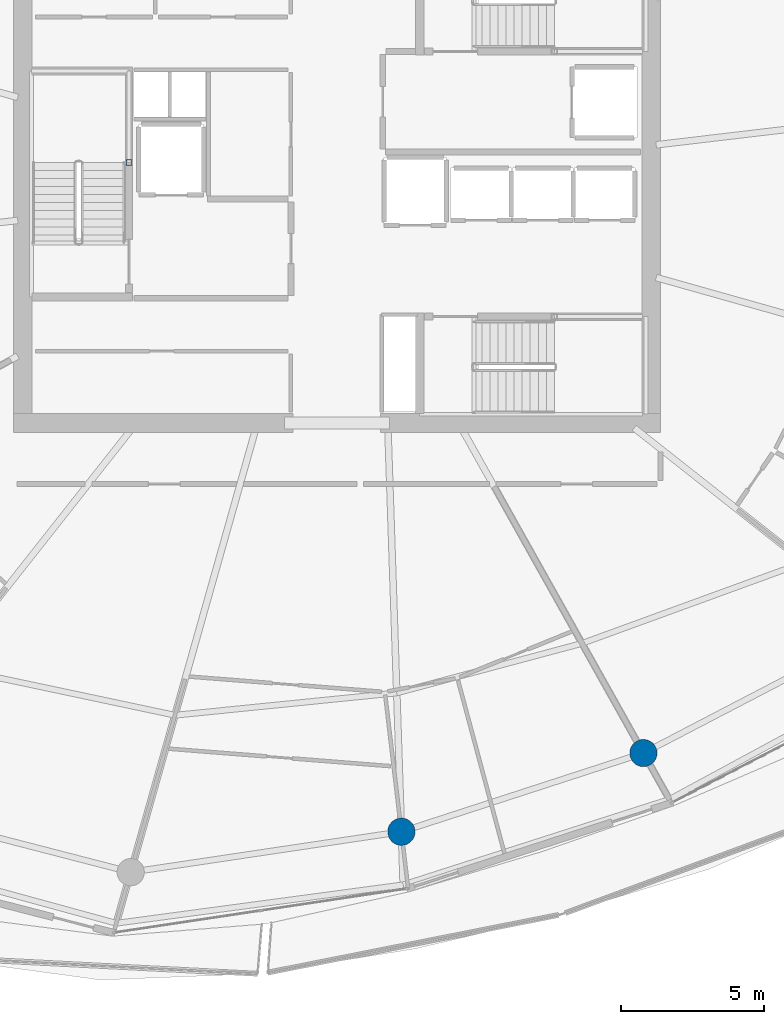
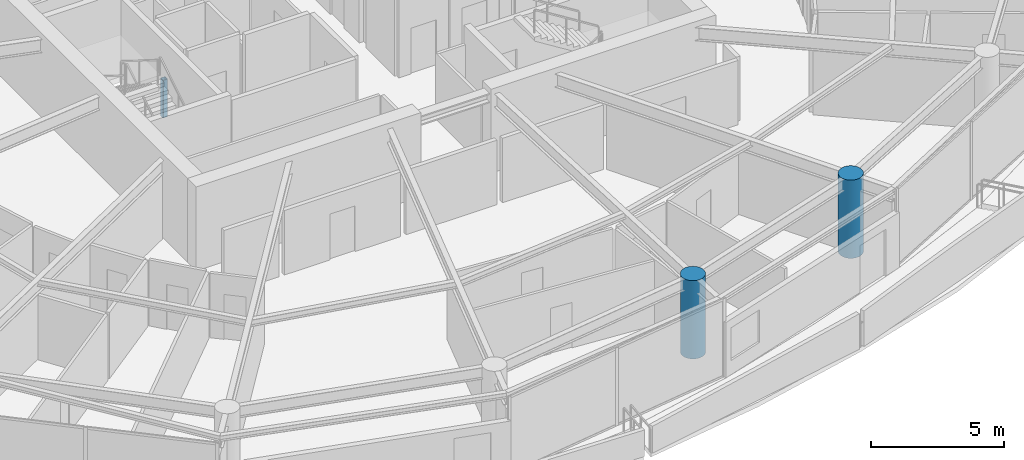
# One storey, part 2 of 30: 3 columns.
"""IFC4 building model written with IfcOpenShell, lengths in metres."""

from ifc_helpers import new_model, si_unit, direction, frame, origin, origin_2d, place, context, subcontext, project, spatial, hollow_rectangle, circle, extrude, material, material_profile, profile_set, type_object, element, save


model = new_model("IFC4")

# Units and contexts
model_context = context("Model", 3, precision=1e-05, world=origin(), true_north=direction((0.0, 1.0)))
body_context = subcontext(model_context, "Body", "Model", "MODEL_VIEW")
ifc_project = project(units=[si_unit("LENGTHUNIT", "METRE"), si_unit("AREAUNIT", "SQUARE_METRE"), si_unit("VOLUMEUNIT", "CUBIC_METRE"), si_unit("PLANEANGLEUNIT", "RADIAN"), si_unit("MASSUNIT", "GRAM", prefix="KILO")], contexts=[model_context])

# Site, building, storey
site_placement = place(None, origin())
site = spatial("IfcSite", under=ifc_project, at=site_placement, CompositionType="ELEMENT")
building_placement = place(site_placement, origin())
building = spatial("IfcBuilding", under=site, at=building_placement, Name="Kazma Halo Residences", CompositionType="ELEMENT")
storey_placement = place(building_placement, frame((0.0, 0.0, 255.949951171875)))
storey = spatial("IfcBuildingStorey", under=building, at=storey_placement, Name="L64", CompositionType="ELEMENT", Elevation=255.949951171875)

# Columns
ifc_material_1 = material(Name="Steel S355", Category="steel")
ifc_material_profile_1 = material_profile(ifc_material_1, hollow_rectangle(XDim=0.199951171875, YDim=0.199951171875, WallThickness=0.010009765625, InnerFilletRadius=0.010009765625, OuterFilletRadius=0.02001953125, at=origin_2d()), Name="SHS200x200x10")
ifc_profile_set_1 = profile_set([ifc_material_profile_1], Name="Steel S355")
column_type_1 = type_object("IfcColumnType", Name="COL-LP-SHS200", PredefinedType="COLUMN", material=ifc_profile_set_1)
column_placement = place(storey_placement, frame((41.179931640625, 42.75, 0.0), z_axis=(0.0, 0.0, 1.0), x_axis=(1.0, 0.0, 0.0)))
element("IfcColumn", 1, at=column_placement, inside=storey, type_object=column_type_1, Name="L64 ST-01 landing pilaster 1", PredefinedType="COLUMN", context=body_context, shape_type="SweptSolid", body=[
    extrude(hollow_rectangle(XDim=0.199951171875, YDim=0.199951171875, WallThickness=0.010009765625, InnerFilletRadius=0.010009765625, OuterFilletRadius=0.02001953125, at=origin_2d()), origin(), (0.0, 0.0, 1.0), 1.719970703125),
])
ifc_material_2 = material(Name="Concrete C60/75", Category="concrete")
ifc_material_profile_2 = material_profile(ifc_material_2, circle(Radius=0.47509765625, at=origin_2d()), Name="CIRC950")
ifc_profile_set_2 = profile_set([ifc_material_profile_2], Name="Concrete C60/75")
column_type_2 = type_object("IfcColumnType", Name="COL-PERIM-950", PredefinedType="COLUMN", material=ifc_profile_set_2)
for number, where, z_axis, x_axis, name in (
    (2, (50.67138671875, 19.42919921875, 0.0), (0.0, 0.0, 1.0), (1.0, 0.0, 0.0), "L64 perimeter ring column P12"),
    (3, (59.10546875, 22.169677734375, 0.0), (0.0, 0.0, 1.0), (1.0, 0.0, 0.0), "L64 perimeter ring column P13"),
):
    element("IfcColumn", number, at=place(storey_placement, frame(where, z_axis=z_axis, x_axis=x_axis)), inside=storey, type_object=column_type_2, Name=name, PredefinedType="COLUMN", context=body_context, shape_type="SweptSolid", body=[
        extrude(circle(Radius=0.47509765625, at=origin_2d()), origin(), (0.0, 0.0, 1.0), 3.590087890625),
    ])

save(model, "model.ifc")
